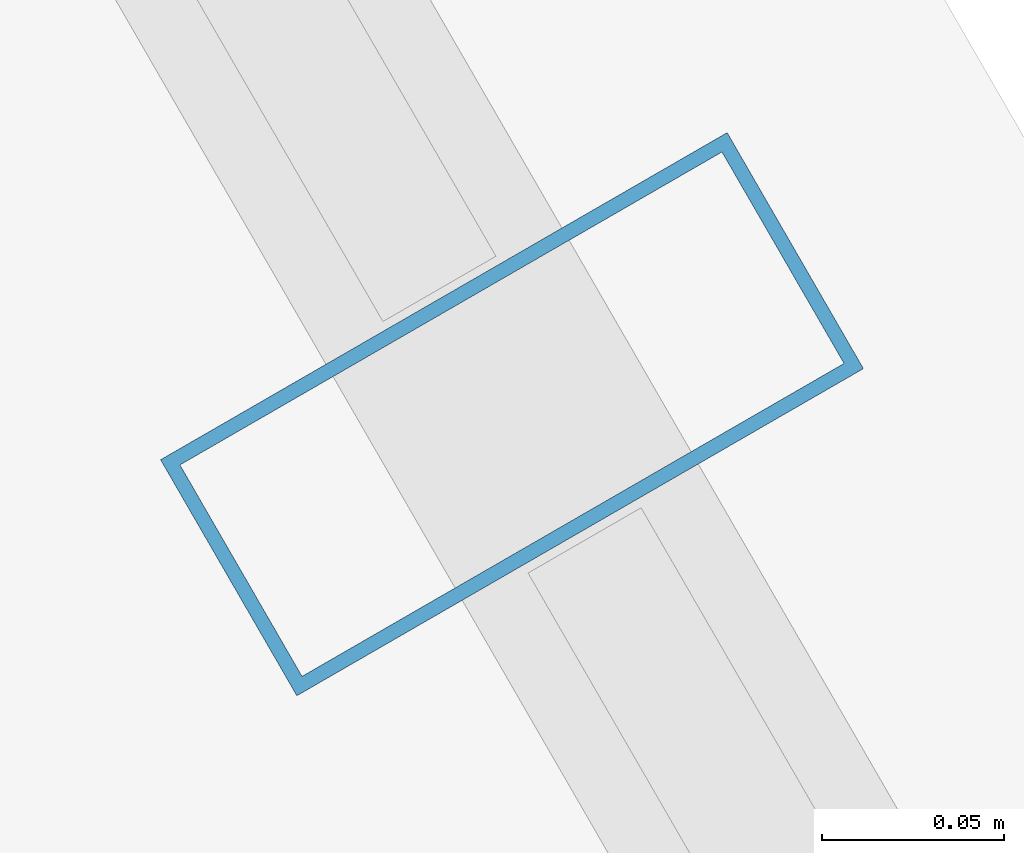
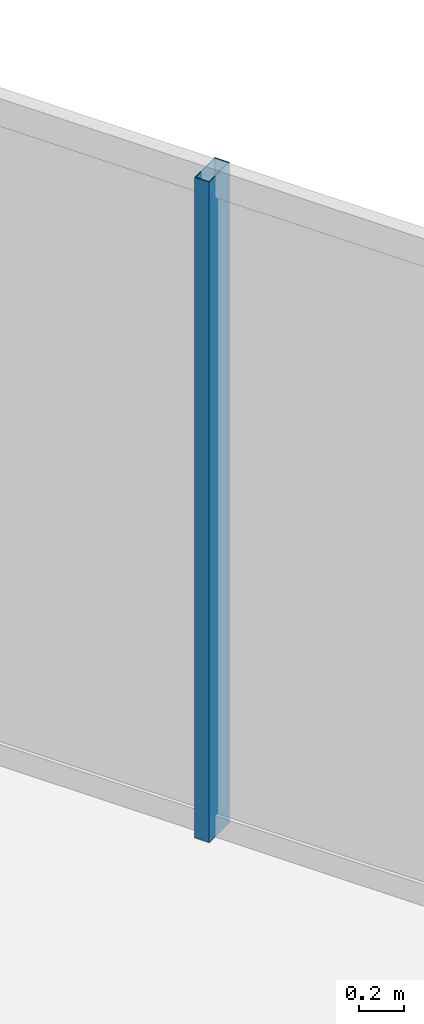
# One storey, part 17 of 32: 1 member, 1 element without a shape of its own.
"""IFC4 building model written with IfcOpenShell, lengths in metres."""

from ifc_helpers import new_model, si_unit, direction, frame, origin, origin_2d, place, context, subcontext, project, spatial, hollow_rectangle, extrude, material, layer, layer_set, material_profile, profile_set, type_object, element, aggregate, save


model = new_model("IFC4")

# Units and contexts
model_context = context("Model", 3, precision=1e-05, world=origin(), true_north=direction((0.0, 1.0)))
body_context = subcontext(model_context, "Body", "Model", "MODEL_VIEW")
ifc_project = project(units=[si_unit("LENGTHUNIT", "METRE"), si_unit("AREAUNIT", "SQUARE_METRE"), si_unit("VOLUMEUNIT", "CUBIC_METRE"), si_unit("PLANEANGLEUNIT", "RADIAN"), si_unit("MASSUNIT", "GRAM", prefix="KILO")], contexts=[model_context])

# Site, building, storey
site_placement = place(None, origin())
site = spatial("IfcSite", under=ifc_project, at=site_placement, CompositionType="ELEMENT")
building_placement = place(site_placement, origin())
building = spatial("IfcBuilding", under=site, at=building_placement, Name="Ndaravel Arena Tower", CompositionType="ELEMENT")
storey_placement = place(building_placement, frame((0.0, 0.0, 290.89990234375)))
storey = spatial("IfcBuildingStorey", under=building, at=storey_placement, Name="L71", CompositionType="ELEMENT", Elevation=290.89990234375)

# Curtain wall, member
ifc_material_1 = material(Name="Aluminium", Category="aluminium")
ifc_layer = layer(ifc_material_1, 0.179931640625)
ifc_layer_set = layer_set([ifc_layer], Name="Aluminium")
curtain_wall_type = type_object("IfcCurtainWallType", Name="CW-SYS-03", PredefinedType="NOTDEFINED", material=ifc_layer_set)
curtain_wall_placement = place(storey_placement, origin())
curtain_wall = element("IfcCurtainWall", 1, at=curtain_wall_placement, inside=storey, type_object=curtain_wall_type, Name="L71 Faceted Crystal Curtain Wall CW-L71-E03", PredefinedType="NOTDEFINED")
ifc_material_2 = material(Name="Aluminium", Category="aluminium")
ifc_material_profile = material_profile(ifc_material_2, hollow_rectangle(XDim=0.074951171875, YDim=0.179931640625, WallThickness=0.00390625, at=origin_2d()), Name="CW MULLION 75x180x4")
ifc_profile_set = profile_set([ifc_material_profile], Name="Aluminium")
member_type = type_object("IfcMemberType", Name="MEM-CW-MUL180", PredefinedType="MULLION", material=ifc_profile_set)
member_placement = place(storey_placement, frame((50.95068359375, 32.23046875, 0.0), z_axis=(0.0, 0.0, 1.0), x_axis=(-0.5, 0.866025403784, 0.0)))
member = element("IfcMember", 2, at=member_placement, type_object=member_type, Name="CW-L71-E03 Mullion 06", PredefinedType="MULLION", context=body_context, shape_type="SweptSolid", body=[
    extrude(hollow_rectangle(XDim=0.074951171875, YDim=0.179931640625, WallThickness=0.00390625, at=origin_2d()), origin(), (0.0, 0.0, 1.0), 3.580078125),
])
aggregate(curtain_wall, [member])

save(model, "model.ifc")
